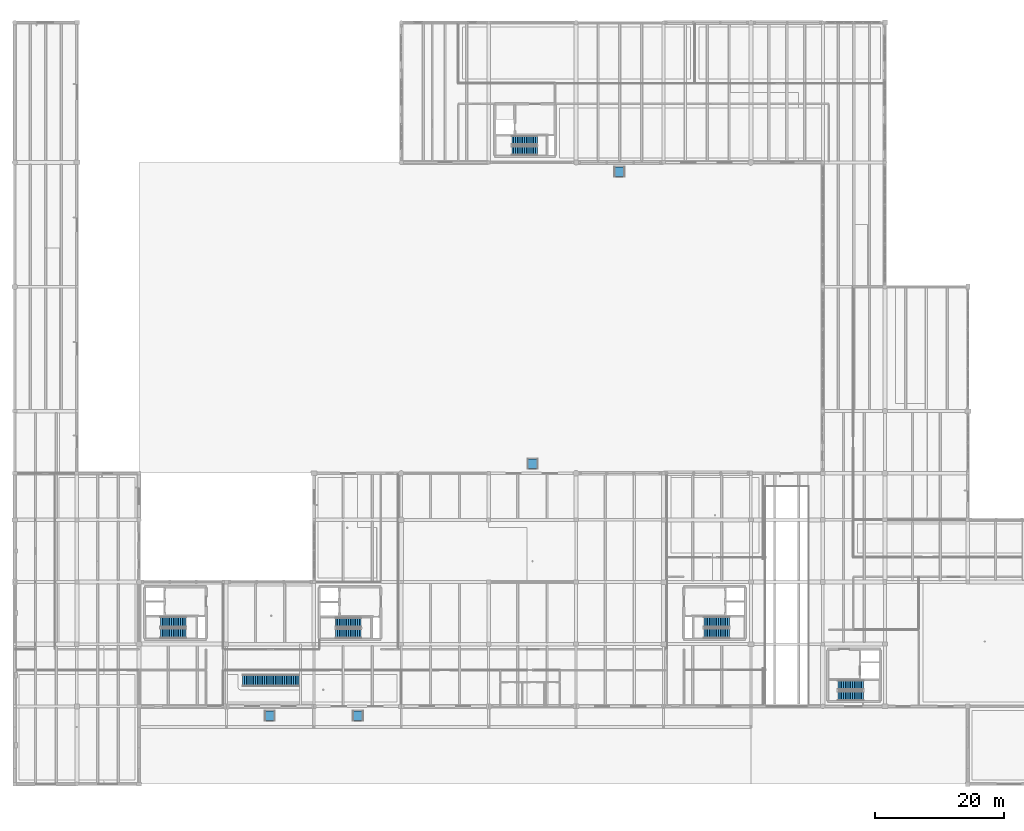
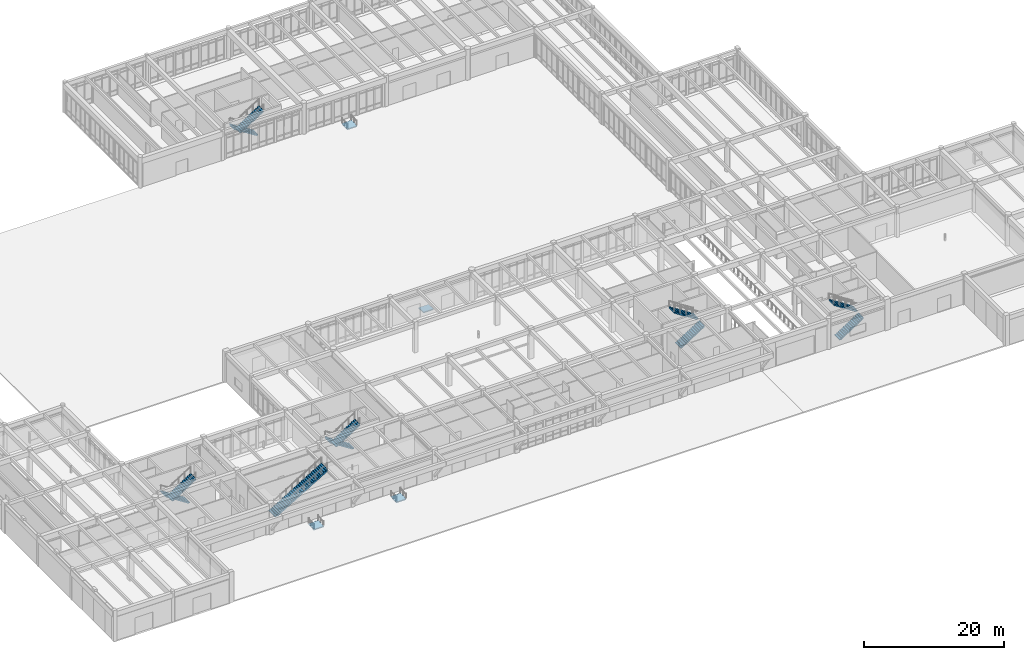
# One storey, part 118 of 138: 11 stair flights, 4 ramp flights, 10 elements without a shape of their own.
"""IFC4 building model written with IfcOpenShell, lengths in metres."""

from ifc_helpers import new_model, si_unit, direction, frame, origin, place, context, subcontext, project, spatial, polyline, outline, extrude, material, layer, layer_set, type_object, element, aggregate, save


model = new_model("IFC4")

# Units and contexts
model_context = context("Model", 3, precision=1e-05, world=origin(), true_north=direction((0.0, 1.0)))
body_context = subcontext(model_context, "Body", "Model", "MODEL_VIEW")
ifc_project = project(units=[si_unit("LENGTHUNIT", "METRE"), si_unit("AREAUNIT", "SQUARE_METRE"), si_unit("VOLUMEUNIT", "CUBIC_METRE"), si_unit("PLANEANGLEUNIT", "RADIAN"), si_unit("MASSUNIT", "GRAM", prefix="KILO")], contexts=[model_context])

# Site, building, storey
site_placement = place(None, origin())
site = spatial("IfcSite", under=ifc_project, at=site_placement, CompositionType="ELEMENT")
building_placement = place(site_placement, origin())
building = spatial("IfcBuilding", under=site, at=building_placement, Name="Fikremerkos Civic Library", CompositionType="ELEMENT")
storey_placement = place(building_placement, origin())
storey = spatial("IfcBuildingStorey", under=building, at=storey_placement, Name="L00", CompositionType="ELEMENT", Elevation=0.0)

# Stair, stair flights
ifc_material_1 = material(Name="Concrete C40/50", Category="concrete")
stair_type_1 = type_object("IfcStairType", Name="Half turn stair ST-HT-02 W1550 H5400", PredefinedType="HALF_TURN_STAIR", material=ifc_material_1)
stair_1_placement = place(storey_placement, origin())
stair_1 = element("IfcStair", 1, at=stair_1_placement, inside=storey, type_object=stair_type_1, Name="L00 ST-K1", PredefinedType="HALF_TURN_STAIR")
stair_flight_type_1 = type_object("IfcStairFlightType", Name="Straight stair flight SFL-02 W1550 H2700", PredefinedType="STRAIGHT", material=ifc_material_1)
stair_flight_1_placement = place(storey_placement, frame((26.449951171875, 25.02490234375, 0.0), z_axis=(0.0, 0.0, 1.0), x_axis=(-1.0, 0.0, 0.0)))
stair_flight_1 = element("IfcStairFlight", 2, at=stair_flight_1_placement, type_object=stair_flight_type_1, Name="ST-K1 flight 1", NumberOfRisers=15, NumberOfTreads=14, PredefinedType="STRAIGHT", RiserHeight=0.18, TreadLength=0.28, context=body_context, shape_type="SweptSolid", body=[
    extrude(outline(polyline([(-0.0048828125, 0.0), (-0.0048828125, 0.179931640625), (0.280029296875, 0.179931640625), (0.280029296875, 0.360107421875), (0.56005859375, 0.360107421875), (0.56005859375, 0.5400390625), (0.840087890625, 0.5400390625), (0.840087890625, 0.719970703125), (1.1201171875, 0.719970703125), (1.1201171875, 0.89990234375), (1.39990234375, 0.89990234375), (1.39990234375, 1.080078125), (1.679931640625, 1.080078125), (1.679931640625, 1.260009765625), (1.9599609375, 1.260009765625), (1.9599609375, 1.43994140625), (2.239990234375, 1.43994140625), (2.239990234375, 1.6201171875), (2.52001953125, 1.6201171875), (2.52001953125, 1.800048828125), (2.800048828125, 1.800048828125), (2.800048828125, 1.97998046875), (3.080078125, 1.97998046875), (3.080078125, 2.159912109375), (3.360107421875, 2.159912109375), (3.360107421875, 2.340087890625), (3.639892578125, 2.340087890625), (3.639892578125, 2.52001953125), (3.919921875, 2.52001953125), (3.919921875, 2.699951171875), (3.925048828125, 2.699951171875), (3.925048828125, 2.341796875), (0.277099609375, 0.0), (-0.0048828125, 0.0)])), frame((0.0, 0.77490234375, 0.0), z_axis=(0.0, -1.0, 0.0), x_axis=(1.0, 0.0, 0.0)), (0.0, 0.0, 1.0), 1.550048828125),
])
stair_flight_2_placement = place(storey_placement, frame((22.530029296875, 23.27490234375, 2.699951171875), z_axis=(0.0, 0.0, 1.0), x_axis=(1.0, 0.0, 0.0)))
stair_flight_2 = element("IfcStairFlight", 3, at=stair_flight_2_placement, type_object=stair_flight_type_1, Name="ST-K1 flight 2", NumberOfRisers=15, NumberOfTreads=14, PredefinedType="STRAIGHT", RiserHeight=0.18, TreadLength=0.28, context=body_context, shape_type="SweptSolid", body=[
    extrude(outline(polyline([(-0.0048828125, 0.0), (-0.0048828125, 0.179931640625), (0.280029296875, 0.179931640625), (0.280029296875, 0.360107421875), (0.56005859375, 0.360107421875), (0.56005859375, 0.5400390625), (0.840087890625, 0.5400390625), (0.840087890625, 0.719970703125), (1.1201171875, 0.719970703125), (1.1201171875, 0.89990234375), (1.39990234375, 0.89990234375), (1.39990234375, 1.080078125), (1.679931640625, 1.080078125), (1.679931640625, 1.260009765625), (1.9599609375, 1.260009765625), (1.9599609375, 1.43994140625), (2.239990234375, 1.43994140625), (2.239990234375, 1.6201171875), (2.52001953125, 1.6201171875), (2.52001953125, 1.800048828125), (2.800048828125, 1.800048828125), (2.800048828125, 1.97998046875), (3.080078125, 1.97998046875), (3.080078125, 2.159912109375), (3.360107421875, 2.159912109375), (3.360107421875, 2.340087890625), (3.639892578125, 2.340087890625), (3.639892578125, 2.52001953125), (3.919921875, 2.52001953125), (3.919921875, 2.699951171875), (3.925048828125, 2.699951171875), (3.925048828125, 2.341796875), (0.277099609375, 0.0), (-0.0048828125, 0.0)])), frame((0.0, 0.77490234375, 0.0), z_axis=(0.0, -1.0, 0.0), x_axis=(1.0, 0.0, 0.0)), (0.0, 0.0, 1.0), 1.550048828125),
])
aggregate(stair_1, [stair_flight_1, stair_flight_2])

stair_2_placement = place(storey_placement, origin())
stair_2 = element("IfcStair", 4, at=stair_2_placement, inside=storey, type_object=stair_type_1, Name="L00 ST-K2", PredefinedType="HALF_TURN_STAIR")
stair_flight_3_placement = place(storey_placement, frame((106.449951171875, 23.27490234375, 0.0), z_axis=(0.0, 0.0, 1.0), x_axis=(1.0, 0.0, 0.0)))
stair_flight_3 = element("IfcStairFlight", 5, at=stair_flight_3_placement, type_object=stair_flight_type_1, Name="ST-K2 flight 1", NumberOfRisers=15, NumberOfTreads=14, PredefinedType="STRAIGHT", RiserHeight=0.18, TreadLength=0.28, context=body_context, shape_type="SweptSolid", body=[
    extrude(outline(polyline([(-0.0048828125, 0.0), (-0.0048828125, 0.179931640625), (0.280029296875, 0.179931640625), (0.280029296875, 0.360107421875), (0.56005859375, 0.360107421875), (0.56005859375, 0.5400390625), (0.840087890625, 0.5400390625), (0.840087890625, 0.719970703125), (1.1201171875, 0.719970703125), (1.1201171875, 0.89990234375), (1.39990234375, 0.89990234375), (1.39990234375, 1.080078125), (1.679931640625, 1.080078125), (1.679931640625, 1.260009765625), (1.9599609375, 1.260009765625), (1.9599609375, 1.43994140625), (2.239990234375, 1.43994140625), (2.239990234375, 1.6201171875), (2.52001953125, 1.6201171875), (2.52001953125, 1.800048828125), (2.800048828125, 1.800048828125), (2.800048828125, 1.97998046875), (3.080078125, 1.97998046875), (3.080078125, 2.159912109375), (3.360107421875, 2.159912109375), (3.360107421875, 2.340087890625), (3.639892578125, 2.340087890625), (3.639892578125, 2.52001953125), (3.919921875, 2.52001953125), (3.919921875, 2.699951171875), (3.925048828125, 2.699951171875), (3.925048828125, 2.341796875), (0.277099609375, 0.0), (-0.0048828125, 0.0)])), frame((0.0, 0.77490234375, 0.0), z_axis=(0.0, -1.0, 0.0), x_axis=(1.0, 0.0, 0.0)), (0.0, 0.0, 1.0), 1.550048828125),
])
stair_flight_4_placement = place(storey_placement, frame((110.3701171875, 25.02490234375, 2.699951171875), z_axis=(0.0, 0.0, 1.0), x_axis=(-1.0, 0.0, 0.0)))
stair_flight_4 = element("IfcStairFlight", 6, at=stair_flight_4_placement, type_object=stair_flight_type_1, Name="ST-K2 flight 2", NumberOfRisers=15, NumberOfTreads=14, PredefinedType="STRAIGHT", RiserHeight=0.18, TreadLength=0.28, context=body_context, shape_type="SweptSolid", body=[
    extrude(outline(polyline([(-0.0048828125, 0.0), (-0.0048828125, 0.179931640625), (0.280029296875, 0.179931640625), (0.280029296875, 0.360107421875), (0.56005859375, 0.360107421875), (0.56005859375, 0.5400390625), (0.840087890625, 0.5400390625), (0.840087890625, 0.719970703125), (1.1201171875, 0.719970703125), (1.1201171875, 0.89990234375), (1.39990234375, 0.89990234375), (1.39990234375, 1.080078125), (1.679931640625, 1.080078125), (1.679931640625, 1.260009765625), (1.9599609375, 1.260009765625), (1.9599609375, 1.43994140625), (2.239990234375, 1.43994140625), (2.239990234375, 1.6201171875), (2.52001953125, 1.6201171875), (2.52001953125, 1.800048828125), (2.800048828125, 1.800048828125), (2.800048828125, 1.97998046875), (3.080078125, 1.97998046875), (3.080078125, 2.159912109375), (3.360107421875, 2.159912109375), (3.360107421875, 2.340087890625), (3.639892578125, 2.340087890625), (3.639892578125, 2.52001953125), (3.919921875, 2.52001953125), (3.919921875, 2.699951171875), (3.925048828125, 2.699951171875), (3.925048828125, 2.341796875), (0.277099609375, 0.0), (-0.0048828125, 0.0)])), frame((0.0, 0.77490234375, 0.0), z_axis=(0.0, -1.0, 0.0), x_axis=(1.0, 0.0, 0.0)), (0.0, 0.0, 1.0), 1.550048828125),
])
aggregate(stair_2, [stair_flight_3, stair_flight_4])

stair_type_2 = type_object("IfcStairType", Name="Half turn stair ST-HT-05 W1500 H5400", PredefinedType="HALF_TURN_STAIR", material=ifc_material_1)
stair_3_placement = place(storey_placement, origin())
stair_3 = element("IfcStair", 7, at=stair_3_placement, inside=storey, type_object=stair_type_2, Name="L00 ST-K3", PredefinedType="HALF_TURN_STAIR")
stair_flight_type_2 = type_object("IfcStairFlightType", Name="Straight stair flight SFL-05 W1500 H2700", PredefinedType="STRAIGHT", material=ifc_material_1)
stair_flight_5_placement = place(storey_placement, frame((53.5, 24.949951171875, 0.0), z_axis=(0.0, 0.0, 1.0), x_axis=(-1.0, 0.0, 0.0)))
stair_flight_5 = element("IfcStairFlight", 8, at=stair_flight_5_placement, type_object=stair_flight_type_2, Name="ST-K3 flight 1", NumberOfRisers=15, NumberOfTreads=14, PredefinedType="STRAIGHT", RiserHeight=0.18, TreadLength=0.28, context=body_context, shape_type="SweptSolid", body=[
    extrude(outline(polyline([(-0.0048828125, 0.0), (-0.0048828125, 0.179931640625), (0.280029296875, 0.179931640625), (0.280029296875, 0.360107421875), (0.56005859375, 0.360107421875), (0.56005859375, 0.5400390625), (0.840087890625, 0.5400390625), (0.840087890625, 0.719970703125), (1.1201171875, 0.719970703125), (1.1201171875, 0.89990234375), (1.39990234375, 0.89990234375), (1.39990234375, 1.080078125), (1.679931640625, 1.080078125), (1.679931640625, 1.260009765625), (1.9599609375, 1.260009765625), (1.9599609375, 1.43994140625), (2.239990234375, 1.43994140625), (2.239990234375, 1.6201171875), (2.52001953125, 1.6201171875), (2.52001953125, 1.800048828125), (2.800048828125, 1.800048828125), (2.800048828125, 1.97998046875), (3.080078125, 1.97998046875), (3.080078125, 2.159912109375), (3.360107421875, 2.159912109375), (3.360107421875, 2.340087890625), (3.639892578125, 2.340087890625), (3.639892578125, 2.52001953125), (3.919921875, 2.52001953125), (3.919921875, 2.699951171875), (3.925048828125, 2.699951171875), (3.925048828125, 2.341796875), (0.277099609375, 0.0), (-0.0048828125, 0.0)])), frame((0.0, 0.75, 0.0), z_axis=(0.0, -1.0, 0.0), x_axis=(1.0, 0.0, 0.0)), (0.0, 0.0, 1.0), 1.5),
])
stair_flight_6_placement = place(storey_placement, frame((49.580078125, 23.25, 2.699951171875), z_axis=(0.0, 0.0, 1.0), x_axis=(1.0, 0.0, 0.0)))
stair_flight_6 = element("IfcStairFlight", 9, at=stair_flight_6_placement, type_object=stair_flight_type_2, Name="ST-K3 flight 2", NumberOfRisers=15, NumberOfTreads=14, PredefinedType="STRAIGHT", RiserHeight=0.18, TreadLength=0.28, context=body_context, shape_type="SweptSolid", body=[
    extrude(outline(polyline([(-0.0048828125, 0.0), (-0.0048828125, 0.179931640625), (0.280029296875, 0.179931640625), (0.280029296875, 0.360107421875), (0.56005859375, 0.360107421875), (0.56005859375, 0.5400390625), (0.840087890625, 0.5400390625), (0.840087890625, 0.719970703125), (1.1201171875, 0.719970703125), (1.1201171875, 0.89990234375), (1.39990234375, 0.89990234375), (1.39990234375, 1.080078125), (1.679931640625, 1.080078125), (1.679931640625, 1.260009765625), (1.9599609375, 1.260009765625), (1.9599609375, 1.43994140625), (2.239990234375, 1.43994140625), (2.239990234375, 1.6201171875), (2.52001953125, 1.6201171875), (2.52001953125, 1.800048828125), (2.800048828125, 1.800048828125), (2.800048828125, 1.97998046875), (3.080078125, 1.97998046875), (3.080078125, 2.159912109375), (3.360107421875, 2.159912109375), (3.360107421875, 2.340087890625), (3.639892578125, 2.340087890625), (3.639892578125, 2.52001953125), (3.919921875, 2.52001953125), (3.919921875, 2.699951171875), (3.925048828125, 2.699951171875), (3.925048828125, 2.341796875), (0.277099609375, 0.0), (-0.0048828125, 0.0)])), frame((0.0, 0.75, 0.0), z_axis=(0.0, -1.0, 0.0), x_axis=(1.0, 0.0, 0.0)), (0.0, 0.0, 1.0), 1.5),
])
aggregate(stair_3, [stair_flight_5, stair_flight_6])

stair_type_3 = type_object("IfcStairType", Name="Half turn stair ST-HT-08 W1450 H5400", PredefinedType="HALF_TURN_STAIR", material=ifc_material_1)
stair_4_placement = place(storey_placement, origin())
stair_4 = element("IfcStair", 10, at=stair_4_placement, inside=storey, type_object=stair_type_3, Name="L00 ST-K4", PredefinedType="HALF_TURN_STAIR")
stair_flight_type_3 = type_object("IfcStairFlightType", Name="Straight stair flight SFL-08 W1450 H2700", PredefinedType="STRAIGHT", material=ifc_material_1)
stair_flight_7_placement = place(storey_placement, frame((127.14990234375, 13.625, 0.0), z_axis=(0.0, 0.0, 1.0), x_axis=(1.0, 0.0, 0.0)))
stair_flight_7 = element("IfcStairFlight", 11, at=stair_flight_7_placement, type_object=stair_flight_type_3, Name="ST-K4 flight 1", NumberOfRisers=15, NumberOfTreads=14, PredefinedType="STRAIGHT", RiserHeight=0.18, TreadLength=0.28, context=body_context, shape_type="SweptSolid", body=[
    extrude(outline(polyline([(-0.0048828125, 0.0), (-0.0048828125, 0.179931640625), (0.280029296875, 0.179931640625), (0.280029296875, 0.360107421875), (0.56005859375, 0.360107421875), (0.56005859375, 0.5400390625), (0.840087890625, 0.5400390625), (0.840087890625, 0.719970703125), (1.1201171875, 0.719970703125), (1.1201171875, 0.89990234375), (1.39990234375, 0.89990234375), (1.39990234375, 1.080078125), (1.679931640625, 1.080078125), (1.679931640625, 1.260009765625), (1.9599609375, 1.260009765625), (1.9599609375, 1.43994140625), (2.239990234375, 1.43994140625), (2.239990234375, 1.6201171875), (2.52001953125, 1.6201171875), (2.52001953125, 1.800048828125), (2.800048828125, 1.800048828125), (2.800048828125, 1.97998046875), (3.080078125, 1.97998046875), (3.080078125, 2.159912109375), (3.360107421875, 2.159912109375), (3.360107421875, 2.340087890625), (3.639892578125, 2.340087890625), (3.639892578125, 2.52001953125), (3.919921875, 2.52001953125), (3.919921875, 2.699951171875), (3.925048828125, 2.699951171875), (3.925048828125, 2.341796875), (0.277099609375, 0.0), (-0.0048828125, 0.0)])), frame((0.0, 0.72509765625, 0.0), z_axis=(0.0, -1.0, 0.0), x_axis=(1.0, 0.0, 0.0)), (0.0, 0.0, 1.0), 1.449951171875),
])
stair_flight_8_placement = place(storey_placement, frame((131.070068359375, 15.27490234375, 2.699951171875), z_axis=(0.0, 0.0, 1.0), x_axis=(-1.0, 0.0, 0.0)))
stair_flight_8 = element("IfcStairFlight", 12, at=stair_flight_8_placement, type_object=stair_flight_type_3, Name="ST-K4 flight 2", NumberOfRisers=15, NumberOfTreads=14, PredefinedType="STRAIGHT", RiserHeight=0.18, TreadLength=0.28, context=body_context, shape_type="SweptSolid", body=[
    extrude(outline(polyline([(-0.0048828125, 0.0), (-0.0048828125, 0.179931640625), (0.280029296875, 0.179931640625), (0.280029296875, 0.360107421875), (0.56005859375, 0.360107421875), (0.56005859375, 0.5400390625), (0.840087890625, 0.5400390625), (0.840087890625, 0.719970703125), (1.1201171875, 0.719970703125), (1.1201171875, 0.89990234375), (1.39990234375, 0.89990234375), (1.39990234375, 1.080078125), (1.679931640625, 1.080078125), (1.679931640625, 1.260009765625), (1.9599609375, 1.260009765625), (1.9599609375, 1.43994140625), (2.239990234375, 1.43994140625), (2.239990234375, 1.6201171875), (2.52001953125, 1.6201171875), (2.52001953125, 1.800048828125), (2.800048828125, 1.800048828125), (2.800048828125, 1.97998046875), (3.080078125, 1.97998046875), (3.080078125, 2.159912109375), (3.360107421875, 2.159912109375), (3.360107421875, 2.340087890625), (3.639892578125, 2.340087890625), (3.639892578125, 2.52001953125), (3.919921875, 2.52001953125), (3.919921875, 2.699951171875), (3.925048828125, 2.699951171875), (3.925048828125, 2.341796875), (0.277099609375, 0.0), (-0.0048828125, 0.0)])), frame((0.0, 0.72509765625, 0.0), z_axis=(0.0, -1.0, 0.0), x_axis=(1.0, 0.0, 0.0)), (0.0, 0.0, 1.0), 1.449951171875),
])
aggregate(stair_4, [stair_flight_7, stair_flight_8])

stair_type_4 = type_object("IfcStairType", Name="Half turn stair ST-HT-11 W1400 H5400", PredefinedType="HALF_TURN_STAIR", material=ifc_material_1)
stair_5_placement = place(storey_placement, origin())
stair_5 = element("IfcStair", 13, at=stair_5_placement, inside=storey, type_object=stair_type_4, Name="L00 ST-K5", PredefinedType="HALF_TURN_STAIR")
stair_flight_type_4 = type_object("IfcStairFlightType", Name="Straight stair flight SFL-11 W1400 H2700", PredefinedType="STRAIGHT", material=ifc_material_1)
stair_flight_9_placement = place(storey_placement, frame((80.699951171875, 99.39990234375, 0.0), z_axis=(0.0, 0.0, 1.0), x_axis=(-1.0, 0.0, 0.0)))
stair_flight_9 = element("IfcStairFlight", 14, at=stair_flight_9_placement, type_object=stair_flight_type_4, Name="ST-K5 flight 1", NumberOfRisers=15, NumberOfTreads=14, PredefinedType="STRAIGHT", RiserHeight=0.18, TreadLength=0.28, context=body_context, shape_type="SweptSolid", body=[
    extrude(outline(polyline([(-0.0048828125, 0.0), (-0.0048828125, 0.179931640625), (0.280029296875, 0.179931640625), (0.280029296875, 0.360107421875), (0.56005859375, 0.360107421875), (0.56005859375, 0.5400390625), (0.840087890625, 0.5400390625), (0.840087890625, 0.719970703125), (1.1201171875, 0.719970703125), (1.1201171875, 0.89990234375), (1.39990234375, 0.89990234375), (1.39990234375, 1.080078125), (1.679931640625, 1.080078125), (1.679931640625, 1.260009765625), (1.9599609375, 1.260009765625), (1.9599609375, 1.43994140625), (2.239990234375, 1.43994140625), (2.239990234375, 1.6201171875), (2.52001953125, 1.6201171875), (2.52001953125, 1.800048828125), (2.800048828125, 1.800048828125), (2.800048828125, 1.97998046875), (3.080078125, 1.97998046875), (3.080078125, 2.159912109375), (3.360107421875, 2.159912109375), (3.360107421875, 2.340087890625), (3.639892578125, 2.340087890625), (3.639892578125, 2.52001953125), (3.919921875, 2.52001953125), (3.919921875, 2.699951171875), (3.925048828125, 2.699951171875), (3.925048828125, 2.341796875), (0.277099609375, 0.0), (-0.0048828125, 0.0)])), frame((0.0, 0.699951171875, 0.0), z_axis=(0.0, -1.0, 0.0), x_axis=(1.0, 0.0, 0.0)), (0.0, 0.0, 1.0), 1.39990234375),
])
stair_flight_10_placement = place(storey_placement, frame((76.780029296875, 97.800048828125, 2.699951171875), z_axis=(0.0, 0.0, 1.0), x_axis=(1.0, 0.0, 0.0)))
stair_flight_10 = element("IfcStairFlight", 15, at=stair_flight_10_placement, type_object=stair_flight_type_4, Name="ST-K5 flight 2", NumberOfRisers=15, NumberOfTreads=14, PredefinedType="STRAIGHT", RiserHeight=0.18, TreadLength=0.28, context=body_context, shape_type="SweptSolid", body=[
    extrude(outline(polyline([(-0.0048828125, 0.0), (-0.0048828125, 0.179931640625), (0.280029296875, 0.179931640625), (0.280029296875, 0.360107421875), (0.56005859375, 0.360107421875), (0.56005859375, 0.5400390625), (0.840087890625, 0.5400390625), (0.840087890625, 0.719970703125), (1.1201171875, 0.719970703125), (1.1201171875, 0.89990234375), (1.39990234375, 0.89990234375), (1.39990234375, 1.080078125), (1.679931640625, 1.080078125), (1.679931640625, 1.260009765625), (1.9599609375, 1.260009765625), (1.9599609375, 1.43994140625), (2.239990234375, 1.43994140625), (2.239990234375, 1.6201171875), (2.52001953125, 1.6201171875), (2.52001953125, 1.800048828125), (2.800048828125, 1.800048828125), (2.800048828125, 1.97998046875), (3.080078125, 1.97998046875), (3.080078125, 2.159912109375), (3.360107421875, 2.159912109375), (3.360107421875, 2.340087890625), (3.639892578125, 2.340087890625), (3.639892578125, 2.52001953125), (3.919921875, 2.52001953125), (3.919921875, 2.699951171875), (3.925048828125, 2.699951171875), (3.925048828125, 2.341796875), (0.277099609375, 0.0), (-0.0048828125, 0.0)])), frame((0.0, 0.699951171875, 0.0), z_axis=(0.0, -1.0, 0.0), x_axis=(1.0, 0.0, 0.0)), (0.0, 0.0, 1.0), 1.39990234375),
])
aggregate(stair_5, [stair_flight_9, stair_flight_10])

# Stair, stair flight
ifc_material_2 = material(Name="Steel S355", Category="steel")
stair_type_5 = type_object("IfcStairType", Name="Straight run stair ST-SR-01 W1800 H5400", PredefinedType="STRAIGHT_RUN_STAIR", material=ifc_material_2)
stair_6_placement = place(storey_placement, origin())
stair_6 = element("IfcStair", 16, at=stair_6_placement, inside=storey, type_object=stair_type_5, Name="L00 main foyer feature straight stair ST29", PredefinedType="STRAIGHT_RUN_STAIR")
stair_flight_type_5 = type_object("IfcStairFlightType", Name="Straight stair flight SFL-12 W1800", PredefinedType="STRAIGHT", material=ifc_material_2)
stair_flight_11_placement = place(storey_placement, frame((35.219970703125, 16.0, 0.0), z_axis=(0.0, 0.0, 1.0), x_axis=(1.0, 0.0, 0.0)))
stair_flight_11 = element("IfcStairFlight", 17, at=stair_flight_11_placement, type_object=stair_flight_type_5, Name="ST29 flight 1", NumberOfRisers=32, NumberOfTreads=31, PredefinedType="STRAIGHT", RiserHeight=0.16875, TreadLength=0.28, context=body_context, shape_type="SweptSolid", body=[
    extrude(outline(polyline([(-0.0048828125, 0.0), (-0.0048828125, 0.168701171875), (0.280029296875, 0.168701171875), (0.280029296875, 0.33740234375), (0.56005859375, 0.33740234375), (0.56005859375, 0.50634765625), (0.840087890625, 0.50634765625), (0.840087890625, 0.675048828125), (1.1201171875, 0.675048828125), (1.1201171875, 0.84375), (1.39990234375, 0.84375), (1.39990234375, 1.012451171875), (1.679931640625, 1.012451171875), (1.679931640625, 1.18115234375), (1.9599609375, 1.18115234375), (1.9599609375, 1.35009765625), (2.239990234375, 1.35009765625), (2.239990234375, 1.518798828125), (2.52001953125, 1.518798828125), (2.52001953125, 1.6875), (2.800048828125, 1.6875), (2.800048828125, 1.856201171875), (3.080078125, 1.856201171875), (3.080078125, 2.02490234375), (3.360107421875, 2.02490234375), (3.360107421875, 2.19384765625), (3.639892578125, 2.19384765625), (3.639892578125, 2.362548828125), (3.919921875, 2.362548828125), (3.919921875, 2.53125), (4.199951171875, 2.53125), (4.199951171875, 2.699951171875), (4.47998046875, 2.699951171875), (4.47998046875, 2.86865234375), (4.760009765625, 2.86865234375), (4.760009765625, 3.03759765625), (5.0400390625, 3.03759765625), (5.0400390625, 3.206298828125), (5.320068359375, 3.206298828125), (5.320068359375, 3.375), (5.60009765625, 3.375), (5.60009765625, 3.543701171875), (5.8798828125, 3.543701171875), (5.8798828125, 3.71240234375), (6.159912109375, 3.71240234375), (6.159912109375, 3.88134765625), (6.43994140625, 3.88134765625), (6.43994140625, 4.050048828125), (6.719970703125, 4.050048828125), (6.719970703125, 4.21875), (7.0, 4.21875), (7.0, 4.387451171875), (7.280029296875, 4.387451171875), (7.280029296875, 4.55615234375), (7.56005859375, 4.55615234375), (7.56005859375, 4.72509765625), (7.840087890625, 4.72509765625), (7.840087890625, 4.893798828125), (8.1201171875, 4.893798828125), (8.1201171875, 5.0625), (8.39990234375, 5.0625), (8.39990234375, 5.231201171875), (8.679931640625, 5.231201171875), (8.679931640625, 5.39990234375), (8.68505859375, 5.39990234375), (8.68505859375, 4.950927734375), (0.46484375, 0.0), (-0.0048828125, 0.0)])), frame((0.0, 0.89990234375, 0.0), z_axis=(0.0, -1.0, 0.0), x_axis=(1.0, 0.0, 0.0)), (0.0, 0.0, 1.0), 1.800048828125),
])
aggregate(stair_6, [stair_flight_11])

# Ramp, ramp flight
ifc_material_3 = material(Name="Concrete C35/45", Category="concrete")
ifc_layer_1 = layer(ifc_material_3, 0.179931640625, Name="Concrete C35/45")
ifc_layer_set_1 = layer_set([ifc_layer_1], Name="Concrete C35/45")
ramp_type = type_object("IfcRampType", Name="Exterior plaza ramp RMP-A2 1650", PredefinedType="STRAIGHT_RUN_RAMP", material=ifc_layer_set_1)
ramp_1_placement = place(storey_placement, origin())
ramp_1 = element("IfcRamp", 18, at=ramp_1_placement, inside=storey, type_object=ramp_type, Name="Main foyer accessible plaza ramp RMP-02", PredefinedType="STRAIGHT_RUN_RAMP")
ifc_layer_2 = layer(ifc_material_3, 0.179931640625, Name="Concrete C35/45")
ifc_layer_set_2 = layer_set([ifc_layer_2], Name="Concrete C35/45")
ramp_flight_type = type_object("IfcRampFlightType", Name="Exterior plaza ramp flight RMF-A2 1650", PredefinedType="STRAIGHT", material=ifc_layer_set_2)
ramp_flight_1_placement = place(storey_placement, frame((39.39990234375, 9.800048828125, -0.10009765625), z_axis=(0.0, 0.0, 1.0), x_axis=(0.0, 1.0, 0.0)))
ramp_flight_1 = element("IfcRampFlight", 19, at=ramp_flight_1_placement, type_object=ramp_flight_type, Name="Main foyer accessible plaza ramp flight RMP-02", PredefinedType="STRAIGHT", context=body_context, shape_type="SweptSolid", body=[
    extrude(outline(polyline([(0.0, 0.0), (1.5, 0.10009765625), (1.5, -0.080322265625), (0.0, -0.180419921875), (0.0, 0.0)])), frame((0.0, 0.824951171875, 0.0), z_axis=(0.0, -1.0, 0.0), x_axis=(1.0, 0.0, 0.0)), (0.0, 0.0, 1.0), 1.64990234375),
])
aggregate(ramp_1, [ramp_flight_1])

ramp_2_placement = place(storey_placement, origin())
ramp_2 = element("IfcRamp", 20, at=ramp_2_placement, inside=storey, type_object=ramp_type, Name="East foyer accessible plaza ramp RMP-03", PredefinedType="STRAIGHT_RUN_RAMP")
ramp_flight_2_placement = place(storey_placement, frame((53.0, 9.800048828125, -0.10009765625), z_axis=(0.0, 0.0, 1.0), x_axis=(0.0, 1.0, 0.0)))
ramp_flight_2 = element("IfcRampFlight", 21, at=ramp_flight_2_placement, type_object=ramp_flight_type, Name="East foyer accessible plaza ramp flight RMP-03", PredefinedType="STRAIGHT", context=body_context, shape_type="SweptSolid", body=[
    extrude(outline(polyline([(0.0, 0.0), (1.5, 0.10009765625), (1.5, -0.080322265625), (0.0, -0.180419921875), (0.0, 0.0)])), frame((0.0, 0.824951171875, 0.0), z_axis=(0.0, -1.0, 0.0), x_axis=(1.0, 0.0, 0.0)), (0.0, 0.0, 1.0), 1.64990234375),
])
aggregate(ramp_2, [ramp_flight_2])

ramp_3_placement = place(storey_placement, origin())
ramp_3 = element("IfcRamp", 22, at=ramp_3_placement, inside=storey, type_object=ramp_type, Name="Courtyard accessible entrance ramp RMP-04", PredefinedType="STRAIGHT_RUN_RAMP")
ramp_flight_3_placement = place(storey_placement, frame((80.0, 50.199951171875, -0.10009765625), z_axis=(0.0, 0.0, 1.0), x_axis=(0.0, -1.0, 0.0)))
ramp_flight_3 = element("IfcRampFlight", 23, at=ramp_flight_3_placement, type_object=ramp_flight_type, Name="Courtyard accessible entrance ramp flight RMP-04", PredefinedType="STRAIGHT", context=body_context, shape_type="SweptSolid", body=[
    extrude(outline(polyline([(0.0, 0.0), (1.5, 0.10009765625), (1.5, -0.080322265625), (0.0, -0.180419921875), (0.0, 0.0)])), frame((0.0, 0.824951171875, 0.0), z_axis=(0.0, -1.0, 0.0), x_axis=(1.0, 0.0, 0.0)), (0.0, 0.0, 1.0), 1.64990234375),
])
aggregate(ramp_3, [ramp_flight_3])

ramp_4_placement = place(storey_placement, origin())
ramp_4 = element("IfcRamp", 24, at=ramp_4_placement, inside=storey, type_object=ramp_type, Name="Children's pavilion courtyard accessible ramp RMP-05", PredefinedType="STRAIGHT_RUN_RAMP")
ramp_flight_4_placement = place(storey_placement, frame((93.39990234375, 93.800048828125, -0.10009765625), z_axis=(0.0, 0.0, 1.0), x_axis=(0.0, 1.0, 0.0)))
ramp_flight_4 = element("IfcRampFlight", 25, at=ramp_flight_4_placement, type_object=ramp_flight_type, Name="Children's pavilion courtyard accessible ramp flight RMP-05", PredefinedType="STRAIGHT", context=body_context, shape_type="SweptSolid", body=[
    extrude(outline(polyline([(0.0, 0.0), (1.5, 0.10009765625), (1.5, -0.080322265625), (0.0, -0.180419921875), (0.0, 0.0)])), frame((0.0, 0.824951171875, 0.0), z_axis=(0.0, -1.0, 0.0), x_axis=(1.0, 0.0, 0.0)), (0.0, 0.0, 1.0), 1.64990234375),
])
aggregate(ramp_4, [ramp_flight_4])

save(model, "model.ifc")
